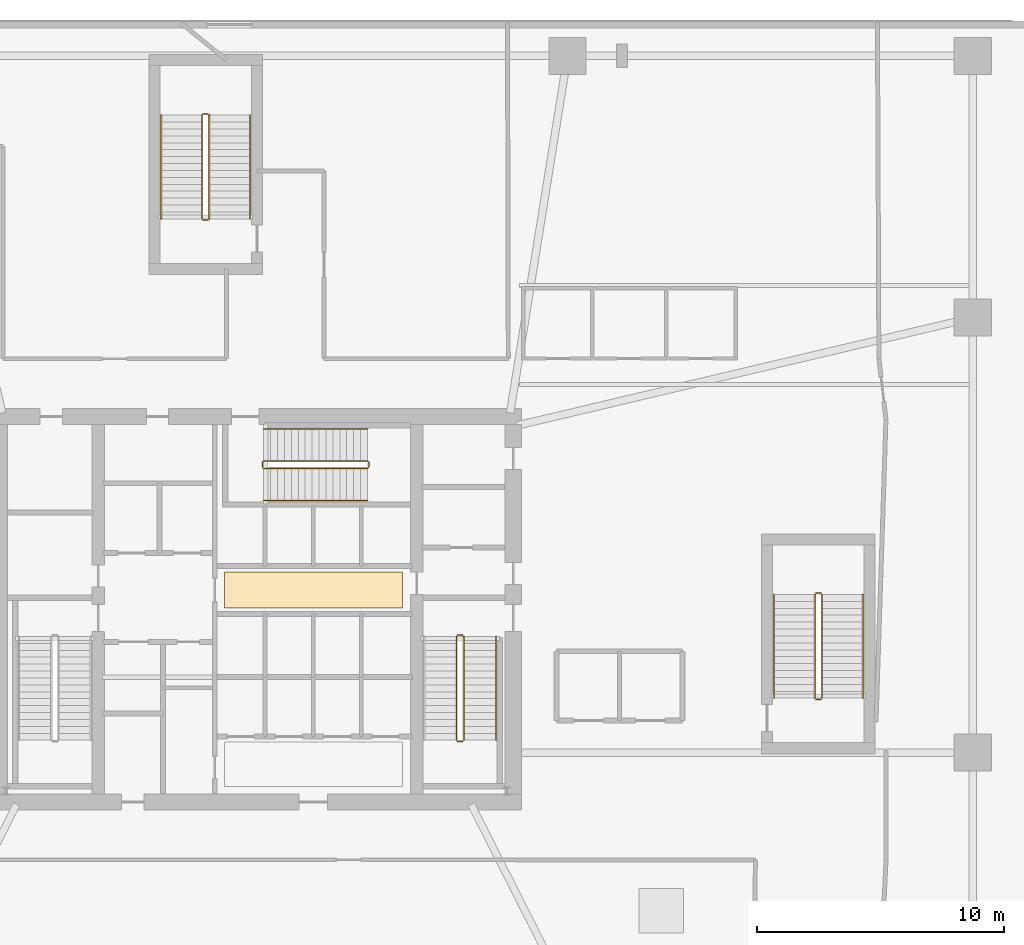
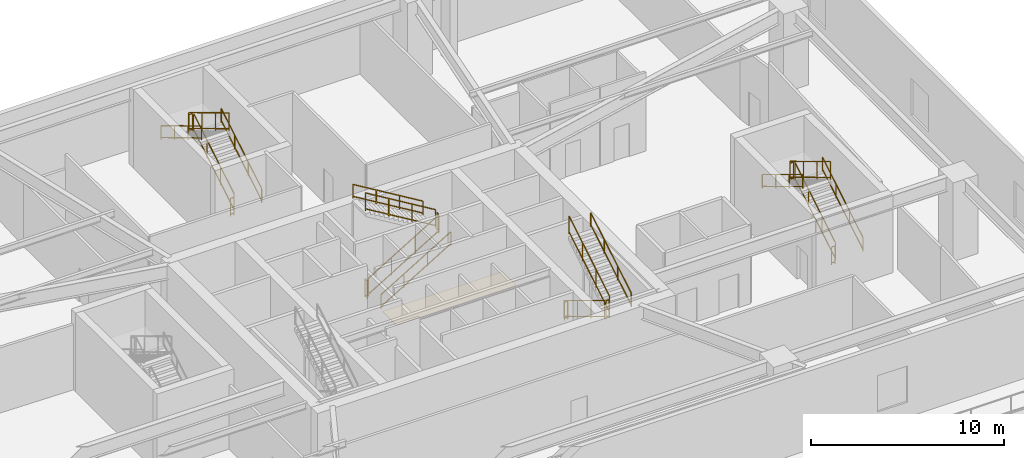
# One storey, part 10 of 11: 23 railings, 1 covering.
"""IFC4 building model written with IfcOpenShell, lengths in metres."""

from ifc_helpers import new_model, si_unit, direction, frame, origin, origin_2d, place, context, subcontext, project, spatial, rectangle, extrude, material, layer, layer_set, type_object, element, save


model = new_model("IFC4")

# Units and contexts
model_context = context("Model", 3, precision=1e-05, world=origin(), true_north=direction((0.0, 1.0)))
body_context = subcontext(model_context, "Body", "Model", "MODEL_VIEW")
ifc_project = project(units=[si_unit("LENGTHUNIT", "METRE"), si_unit("AREAUNIT", "SQUARE_METRE"), si_unit("VOLUMEUNIT", "CUBIC_METRE"), si_unit("PLANEANGLEUNIT", "RADIAN"), si_unit("MASSUNIT", "GRAM", prefix="KILO")], contexts=[model_context])

# Site, building, storey
site_placement = place(None, origin())
site = spatial("IfcSite", under=ifc_project, at=site_placement, CompositionType="ELEMENT")
building_placement = place(site_placement, origin())
building = spatial("IfcBuilding", under=site, at=building_placement, Name="Qarnah Convention Tower", CompositionType="ELEMENT")
storey_placement = place(building_placement, frame((0.0, 0.0, 16.199951171875)))
storey = spatial("IfcBuildingStorey", under=building, at=storey_placement, Name="L03", CompositionType="ELEMENT", Elevation=16.199951171875)

# Covering
ifc_material_1 = material(Name="Mineral fibre acoustic ceiling")
ifc_layer = layer(ifc_material_1, 0.02001953125)
ifc_layer_set = layer_set([ifc_layer], Name="Mineral fibre acoustic ceiling")
covering_type = type_object("IfcCoveringType", Name="COV-CEIL-20", PredefinedType="CEILING", material=ifc_layer_set)
covering_placement = place(storey_placement, frame((39.52001953125, 27.179931640625, 2.2900390625), z_axis=(0.0, 0.0, 1.0), x_axis=(1.0, 0.0, 0.0)))
element("IfcCovering", 1, at=covering_placement, inside=storey, type_object=covering_type, Name="L03 lift lobby acoustic ceiling", PredefinedType="CEILING", context=body_context, shape_type="SweptSolid", body=[
    extrude(rectangle(XDim=7.199951171875, YDim=1.449951171875, at=origin_2d()), origin(), (0.0, 0.0, 1.0), 0.02001953125),
])

# Railings
ifc_material_2 = material(Name="Structural steel S355JR", Category="steel")
railing_type_1 = type_object("IfcRailingType", Name="RL-STAIR-GUARD-1150", PredefinedType="GUARDRAIL", material=ifc_material_2)
railing_1_placement = place(storey_placement, frame((45.300048828125, 25.300048828125, 0.168701171875)))
element("IfcRailing", 2, at=railing_1_placement, inside=storey, type_object=railing_type_1, Name="L03 ST-2 stair guard 1", PredefinedType="GUARDRAIL", context=body_context, shape_type="SweptSolid", body=[
    extrude(rectangle(XDim=0.048095703125, YDim=0.048095703125, at=origin_2d()), frame((0.0, 0.0, 1.1259765625), z_axis=(0.0, -0.856476492594, 0.516186030065), x_axis=(1.0, 0.0, 0.0)), (0.0, 0.0, 1.0), 4.90380859375),
    extrude(rectangle(XDim=0.048095703125, YDim=0.048095703125, at=origin_2d()), frame((0.0, 0.0, 0.1201171875), z_axis=(0.0, -0.856476492594, 0.516186030065), x_axis=(1.0, 0.0, 0.0)), (0.0, 0.0, 1.0), 4.90380859375),
    extrude(rectangle(XDim=0.0419921875, YDim=0.0419921875, at=origin_2d()), origin(), (0.0, 0.0, 1.0), 1.101806640625),
    extrude(rectangle(XDim=0.0419921875, YDim=0.0419921875, at=origin_2d()), frame((0.0, -1.39990234375, 0.84375)), (0.0, 0.0, 1.0), 1.101806640625),
    extrude(rectangle(XDim=0.0419921875, YDim=0.0419921875, at=origin_2d()), frame((0.0, -2.800048828125, 1.6875)), (0.0, 0.0, 1.0), 1.101806640625),
    extrude(rectangle(XDim=0.0419921875, YDim=0.0419921875, at=origin_2d()), frame((0.0, -4.199951171875, 2.53125)), (0.0, 0.0, 1.0), 1.101806640625),
])
railing_2_placement = place(storey_placement, frame((45.35009765625, 21.050048828125, 2.699951171875)))
element("IfcRailing", 3, at=railing_2_placement, inside=storey, type_object=railing_type_1, Name="L03 ST-2 stair guard 2", PredefinedType="GUARDRAIL", context=body_context, shape_type="SweptSolid", body=[
    extrude(rectangle(XDim=0.048095703125, YDim=0.048095703125, at=origin_2d()), frame((0.0, 0.0, 1.1259765625), z_axis=(1.0, 0.0, 0.0), x_axis=(0.0, 1.0, 0.0)), (0.0, 0.0, 1.0), 0.199951171875),
    extrude(rectangle(XDim=0.048095703125, YDim=0.048095703125, at=origin_2d()), frame((0.0, 0.0, 0.1201171875), z_axis=(1.0, 0.0, 0.0), x_axis=(0.0, 1.0, 0.0)), (0.0, 0.0, 1.0), 0.199951171875),
    extrude(rectangle(XDim=0.0419921875, YDim=0.0419921875, at=origin_2d()), origin(), (0.0, 0.0, 1.0), 1.101806640625),
    extrude(rectangle(XDim=0.0419921875, YDim=0.0419921875, at=origin_2d()), frame((0.199951171875, 0.0, 0.0)), (0.0, 0.0, 1.0), 1.101806640625),
])
railing_3_placement = place(storey_placement, frame((45.60009765625, 21.10009765625, 2.868896484375)))
element("IfcRailing", 4, at=railing_3_placement, inside=storey, type_object=railing_type_1, Name="L03 ST-2 stair guard 3", PredefinedType="GUARDRAIL", context=body_context, shape_type="SweptSolid", body=[
    extrude(rectangle(XDim=0.048095703125, YDim=0.048095703125, at=origin_2d()), frame((0.0, 0.0, 1.1259765625), z_axis=(0.0, 0.856476492594, 0.516186030065), x_axis=(-1.0, 0.0, 0.0)), (0.0, 0.0, 1.0), 4.90380859375),
    extrude(rectangle(XDim=0.048095703125, YDim=0.048095703125, at=origin_2d()), frame((0.0, 0.0, 0.1201171875), z_axis=(0.0, 0.856476492594, 0.516186030065), x_axis=(-1.0, 0.0, 0.0)), (0.0, 0.0, 1.0), 4.90380859375),
    extrude(rectangle(XDim=0.0419921875, YDim=0.0419921875, at=origin_2d()), origin(), (0.0, 0.0, 1.0), 1.101806640625),
    extrude(rectangle(XDim=0.0419921875, YDim=0.0419921875, at=origin_2d()), frame((0.0, 1.39990234375, 0.84375)), (0.0, 0.0, 1.0), 1.101806640625),
    extrude(rectangle(XDim=0.0419921875, YDim=0.0419921875, at=origin_2d()), frame((0.0, 2.800048828125, 1.6875)), (0.0, 0.0, 1.0), 1.101806640625),
    extrude(rectangle(XDim=0.0419921875, YDim=0.0419921875, at=origin_2d()), frame((0.0, 4.199951171875, 2.53125)), (0.0, 0.0, 1.0), 1.101806640625),
])
railing_4_placement = place(storey_placement, frame((45.35009765625, 25.35009765625, 0.0)))
element("IfcRailing", 5, at=railing_4_placement, inside=storey, type_object=railing_type_1, Name="L03 ST-2 stair guard 4", PredefinedType="GUARDRAIL", context=body_context, shape_type="SweptSolid", body=[
    extrude(rectangle(XDim=0.048095703125, YDim=0.048095703125, at=origin_2d()), frame((0.0, 0.0, 1.1259765625), z_axis=(1.0, 0.0, 0.0), x_axis=(0.0, 1.0, 0.0)), (0.0, 0.0, 1.0), 0.199951171875),
    extrude(rectangle(XDim=0.048095703125, YDim=0.048095703125, at=origin_2d()), frame((0.0, 0.0, 0.1201171875), z_axis=(1.0, 0.0, 0.0), x_axis=(0.0, 1.0, 0.0)), (0.0, 0.0, 1.0), 0.199951171875),
    extrude(rectangle(XDim=0.0419921875, YDim=0.0419921875, at=origin_2d()), origin(), (0.0, 0.0, 1.0), 1.101806640625),
    extrude(rectangle(XDim=0.0419921875, YDim=0.0419921875, at=origin_2d()), frame((0.199951171875, 0.0, 0.0)), (0.0, 0.0, 1.0), 1.101806640625),
])
railing_5_placement = place(storey_placement, frame((37.5, 32.10009765625, 0.168701171875)))
element("IfcRailing", 6, at=railing_5_placement, inside=storey, type_object=railing_type_1, Name="L03 ST-3 stair guard 1", PredefinedType="GUARDRAIL", context=body_context, shape_type="SweptSolid", body=[
    extrude(rectangle(XDim=0.048095703125, YDim=0.048095703125, at=origin_2d()), frame((0.0, 0.0, 1.1259765625), z_axis=(0.856476492594, 0.0, 0.516186030065), x_axis=(0.0, 1.0, 0.0)), (0.0, 0.0, 1.0), 4.90380859375),
    extrude(rectangle(XDim=0.048095703125, YDim=0.048095703125, at=origin_2d()), frame((0.0, 0.0, 0.1201171875), z_axis=(0.856476492594, 0.0, 0.516186030065), x_axis=(0.0, 1.0, 0.0)), (0.0, 0.0, 1.0), 4.90380859375),
    extrude(rectangle(XDim=0.0419921875, YDim=0.0419921875, at=origin_2d()), origin(), (0.0, 0.0, 1.0), 1.101806640625),
    extrude(rectangle(XDim=0.0419921875, YDim=0.0419921875, at=origin_2d()), frame((1.39990234375, 0.0, 0.84375)), (0.0, 0.0, 1.0), 1.101806640625),
    extrude(rectangle(XDim=0.0419921875, YDim=0.0419921875, at=origin_2d()), frame((2.800048828125, 0.0, 1.6875)), (0.0, 0.0, 1.0), 1.101806640625),
    extrude(rectangle(XDim=0.0419921875, YDim=0.0419921875, at=origin_2d()), frame((4.199951171875, 0.0, 2.53125)), (0.0, 0.0, 1.0), 1.101806640625),
])
railing_6_placement = place(storey_placement, frame((41.75, 32.14990234375, 2.699951171875)))
element("IfcRailing", 7, at=railing_6_placement, inside=storey, type_object=railing_type_1, Name="L03 ST-3 stair guard 2", PredefinedType="GUARDRAIL", context=body_context, shape_type="SweptSolid", body=[
    extrude(rectangle(XDim=0.048095703125, YDim=0.048095703125, at=origin_2d()), frame((0.0, 0.0, 1.1259765625), z_axis=(0.0, 1.0, 0.0), x_axis=(-1.0, 0.0, 0.0)), (0.0, 0.0, 1.0), 0.2001953125),
    extrude(rectangle(XDim=0.048095703125, YDim=0.048095703125, at=origin_2d()), frame((0.0, 0.0, 0.1201171875), z_axis=(0.0, 1.0, 0.0), x_axis=(-1.0, 0.0, 0.0)), (0.0, 0.0, 1.0), 0.2001953125),
    extrude(rectangle(XDim=0.0419921875, YDim=0.0419921875, at=origin_2d()), origin(), (0.0, 0.0, 1.0), 1.101806640625),
    extrude(rectangle(XDim=0.0419921875, YDim=0.0419921875, at=origin_2d()), frame((0.0, 0.2001953125, 0.0)), (0.0, 0.0, 1.0), 1.101806640625),
])
railing_7_placement = place(storey_placement, frame((41.699951171875, 32.39990234375, 2.868896484375)))
element("IfcRailing", 8, at=railing_7_placement, inside=storey, type_object=railing_type_1, Name="L03 ST-3 stair guard 3", PredefinedType="GUARDRAIL", context=body_context, shape_type="SweptSolid", body=[
    extrude(rectangle(XDim=0.048095703125, YDim=0.048095703125, at=origin_2d()), frame((0.0, 0.0, 1.1259765625), z_axis=(-0.856476492594, 0.0, 0.516186030065), x_axis=(0.0, -1.0, 0.0)), (0.0, 0.0, 1.0), 4.90380859375),
    extrude(rectangle(XDim=0.048095703125, YDim=0.048095703125, at=origin_2d()), frame((0.0, 0.0, 0.1201171875), z_axis=(-0.856476492594, 0.0, 0.516186030065), x_axis=(0.0, -1.0, 0.0)), (0.0, 0.0, 1.0), 4.90380859375),
    extrude(rectangle(XDim=0.0419921875, YDim=0.0419921875, at=origin_2d()), origin(), (0.0, 0.0, 1.0), 1.101806640625),
    extrude(rectangle(XDim=0.0419921875, YDim=0.0419921875, at=origin_2d()), frame((-1.39990234375, 0.0, 0.84375)), (0.0, 0.0, 1.0), 1.101806640625),
    extrude(rectangle(XDim=0.0419921875, YDim=0.0419921875, at=origin_2d()), frame((-2.800048828125, 0.0, 1.6875)), (0.0, 0.0, 1.0), 1.101806640625),
    extrude(rectangle(XDim=0.0419921875, YDim=0.0419921875, at=origin_2d()), frame((-4.199951171875, 0.0, 2.53125)), (0.0, 0.0, 1.0), 1.101806640625),
])
railing_8_placement = place(storey_placement, frame((37.449951171875, 32.14990234375, 0.0)))
element("IfcRailing", 9, at=railing_8_placement, inside=storey, type_object=railing_type_1, Name="L03 ST-3 stair guard 4", PredefinedType="GUARDRAIL", context=body_context, shape_type="SweptSolid", body=[
    extrude(rectangle(XDim=0.048095703125, YDim=0.048095703125, at=origin_2d()), frame((0.0, 0.0, 1.1259765625), z_axis=(0.0, 1.0, 0.0), x_axis=(-1.0, 0.0, 0.0)), (0.0, 0.0, 1.0), 0.2001953125),
    extrude(rectangle(XDim=0.048095703125, YDim=0.048095703125, at=origin_2d()), frame((0.0, 0.0, 0.1201171875), z_axis=(0.0, 1.0, 0.0), x_axis=(-1.0, 0.0, 0.0)), (0.0, 0.0, 1.0), 0.2001953125),
    extrude(rectangle(XDim=0.0419921875, YDim=0.0419921875, at=origin_2d()), origin(), (0.0, 0.0, 1.0), 1.101806640625),
    extrude(rectangle(XDim=0.0419921875, YDim=0.0419921875, at=origin_2d()), frame((0.0, 0.2001953125, 0.0)), (0.0, 0.0, 1.0), 1.101806640625),
])
railing_9_placement = place(storey_placement, frame((60.10009765625, 22.800048828125, 0.168701171875)))
element("IfcRailing", 10, at=railing_9_placement, inside=storey, type_object=railing_type_1, Name="L03 ST-4 stair guard 1", PredefinedType="GUARDRAIL", context=body_context, shape_type="SweptSolid", body=[
    extrude(rectangle(XDim=0.048095703125, YDim=0.048095703125, at=origin_2d()), frame((0.0, 0.0, 1.1259765625), z_axis=(0.0, 0.856476492594, 0.516186030065), x_axis=(-1.0, 0.0, 0.0)), (0.0, 0.0, 1.0), 4.90380859375),
    extrude(rectangle(XDim=0.048095703125, YDim=0.048095703125, at=origin_2d()), frame((0.0, 0.0, 0.1201171875), z_axis=(0.0, 0.856476492594, 0.516186030065), x_axis=(-1.0, 0.0, 0.0)), (0.0, 0.0, 1.0), 4.90380859375),
    extrude(rectangle(XDim=0.0419921875, YDim=0.0419921875, at=origin_2d()), origin(), (0.0, 0.0, 1.0), 1.101806640625),
    extrude(rectangle(XDim=0.0419921875, YDim=0.0419921875, at=origin_2d()), frame((0.0, 1.39990234375, 0.84375)), (0.0, 0.0, 1.0), 1.101806640625),
    extrude(rectangle(XDim=0.0419921875, YDim=0.0419921875, at=origin_2d()), frame((0.0, 2.800048828125, 1.6875)), (0.0, 0.0, 1.0), 1.101806640625),
    extrude(rectangle(XDim=0.0419921875, YDim=0.0419921875, at=origin_2d()), frame((0.0, 4.199951171875, 2.53125)), (0.0, 0.0, 1.0), 1.101806640625),
])
railing_10_placement = place(storey_placement, frame((60.050048828125, 27.050048828125, 2.699951171875)))
element("IfcRailing", 11, at=railing_10_placement, inside=storey, type_object=railing_type_1, Name="L03 ST-4 stair guard 2", PredefinedType="GUARDRAIL", context=body_context, shape_type="SweptSolid", body=[
    extrude(rectangle(XDim=0.048095703125, YDim=0.048095703125, at=origin_2d()), frame((0.0, 0.0, 1.1259765625), z_axis=(-1.0, 0.0, 0.0), x_axis=(0.0, -1.0, 0.0)), (0.0, 0.0, 1.0), 0.199951171875),
    extrude(rectangle(XDim=0.048095703125, YDim=0.048095703125, at=origin_2d()), frame((0.0, 0.0, 0.1201171875), z_axis=(-1.0, 0.0, 0.0), x_axis=(0.0, -1.0, 0.0)), (0.0, 0.0, 1.0), 0.199951171875),
    extrude(rectangle(XDim=0.0419921875, YDim=0.0419921875, at=origin_2d()), origin(), (0.0, 0.0, 1.0), 1.101806640625),
    extrude(rectangle(XDim=0.0419921875, YDim=0.0419921875, at=origin_2d()), frame((-0.199951171875, 0.0, 0.0)), (0.0, 0.0, 1.0), 1.101806640625),
])
railing_11_placement = place(storey_placement, frame((59.800048828125, 27.0, 2.868896484375)))
element("IfcRailing", 12, at=railing_11_placement, inside=storey, type_object=railing_type_1, Name="L03 ST-4 stair guard 3", PredefinedType="GUARDRAIL", context=body_context, shape_type="SweptSolid", body=[
    extrude(rectangle(XDim=0.048095703125, YDim=0.048095703125, at=origin_2d()), frame((0.0, 0.0, 1.1259765625), z_axis=(0.0, -0.856476492594, 0.516186030065), x_axis=(1.0, 0.0, 0.0)), (0.0, 0.0, 1.0), 4.90380859375),
    extrude(rectangle(XDim=0.048095703125, YDim=0.048095703125, at=origin_2d()), frame((0.0, 0.0, 0.1201171875), z_axis=(0.0, -0.856476492594, 0.516186030065), x_axis=(1.0, 0.0, 0.0)), (0.0, 0.0, 1.0), 4.90380859375),
    extrude(rectangle(XDim=0.0419921875, YDim=0.0419921875, at=origin_2d()), origin(), (0.0, 0.0, 1.0), 1.101806640625),
    extrude(rectangle(XDim=0.0419921875, YDim=0.0419921875, at=origin_2d()), frame((0.0, -1.39990234375, 0.84375)), (0.0, 0.0, 1.0), 1.101806640625),
    extrude(rectangle(XDim=0.0419921875, YDim=0.0419921875, at=origin_2d()), frame((0.0, -2.800048828125, 1.6875)), (0.0, 0.0, 1.0), 1.101806640625),
    extrude(rectangle(XDim=0.0419921875, YDim=0.0419921875, at=origin_2d()), frame((0.0, -4.199951171875, 2.53125)), (0.0, 0.0, 1.0), 1.101806640625),
])
railing_12_placement = place(storey_placement, frame((60.050048828125, 22.75, 0.0)))
element("IfcRailing", 13, at=railing_12_placement, inside=storey, type_object=railing_type_1, Name="L03 ST-4 stair guard 4", PredefinedType="GUARDRAIL", context=body_context, shape_type="SweptSolid", body=[
    extrude(rectangle(XDim=0.048095703125, YDim=0.048095703125, at=origin_2d()), frame((0.0, 0.0, 1.1259765625), z_axis=(-1.0, 0.0, 0.0), x_axis=(0.0, -1.0, 0.0)), (0.0, 0.0, 1.0), 0.199951171875),
    extrude(rectangle(XDim=0.048095703125, YDim=0.048095703125, at=origin_2d()), frame((0.0, 0.0, 0.1201171875), z_axis=(-1.0, 0.0, 0.0), x_axis=(0.0, -1.0, 0.0)), (0.0, 0.0, 1.0), 0.199951171875),
    extrude(rectangle(XDim=0.0419921875, YDim=0.0419921875, at=origin_2d()), origin(), (0.0, 0.0, 1.0), 1.101806640625),
    extrude(rectangle(XDim=0.0419921875, YDim=0.0419921875, at=origin_2d()), frame((-0.199951171875, 0.0, 0.0)), (0.0, 0.0, 1.0), 1.101806640625),
])
railing_13_placement = place(storey_placement, frame((35.300048828125, 42.199951171875, 0.168701171875)))
element("IfcRailing", 14, at=railing_13_placement, inside=storey, type_object=railing_type_1, Name="L03 ST-6 stair guard 1", PredefinedType="GUARDRAIL", context=body_context, shape_type="SweptSolid", body=[
    extrude(rectangle(XDim=0.048095703125, YDim=0.048095703125, at=origin_2d()), frame((0.0, 0.0, 1.1259765625), z_axis=(0.0, 0.856476492594, 0.516186030065), x_axis=(-1.0, 0.0, 0.0)), (0.0, 0.0, 1.0), 4.90380859375),
    extrude(rectangle(XDim=0.048095703125, YDim=0.048095703125, at=origin_2d()), frame((0.0, 0.0, 0.1201171875), z_axis=(0.0, 0.856476492594, 0.516186030065), x_axis=(-1.0, 0.0, 0.0)), (0.0, 0.0, 1.0), 4.90380859375),
    extrude(rectangle(XDim=0.0419921875, YDim=0.0419921875, at=origin_2d()), origin(), (0.0, 0.0, 1.0), 1.101806640625),
    extrude(rectangle(XDim=0.0419921875, YDim=0.0419921875, at=origin_2d()), frame((0.0, 1.39990234375, 0.84375)), (0.0, 0.0, 1.0), 1.101806640625),
    extrude(rectangle(XDim=0.0419921875, YDim=0.0419921875, at=origin_2d()), frame((0.0, 2.800048828125, 1.6875)), (0.0, 0.0, 1.0), 1.101806640625),
    extrude(rectangle(XDim=0.0419921875, YDim=0.0419921875, at=origin_2d()), frame((0.0, 4.199951171875, 2.53125)), (0.0, 0.0, 1.0), 1.101806640625),
])
railing_14_placement = place(storey_placement, frame((35.25, 46.449951171875, 2.699951171875)))
element("IfcRailing", 15, at=railing_14_placement, inside=storey, type_object=railing_type_1, Name="L03 ST-6 stair guard 2", PredefinedType="GUARDRAIL", context=body_context, shape_type="SweptSolid", body=[
    extrude(rectangle(XDim=0.048095703125, YDim=0.048095703125, at=origin_2d()), frame((0.0, 0.0, 1.1259765625), z_axis=(-1.0, 0.0, 0.0), x_axis=(0.0, -1.0, 0.0)), (0.0, 0.0, 1.0), 0.199951171875),
    extrude(rectangle(XDim=0.048095703125, YDim=0.048095703125, at=origin_2d()), frame((0.0, 0.0, 0.1201171875), z_axis=(-1.0, 0.0, 0.0), x_axis=(0.0, -1.0, 0.0)), (0.0, 0.0, 1.0), 0.199951171875),
    extrude(rectangle(XDim=0.0419921875, YDim=0.0419921875, at=origin_2d()), origin(), (0.0, 0.0, 1.0), 1.101806640625),
    extrude(rectangle(XDim=0.0419921875, YDim=0.0419921875, at=origin_2d()), frame((-0.199951171875, 0.0, 0.0)), (0.0, 0.0, 1.0), 1.101806640625),
])
railing_15_placement = place(storey_placement, frame((35.0, 46.39990234375, 2.868896484375)))
element("IfcRailing", 16, at=railing_15_placement, inside=storey, type_object=railing_type_1, Name="L03 ST-6 stair guard 3", PredefinedType="GUARDRAIL", context=body_context, shape_type="SweptSolid", body=[
    extrude(rectangle(XDim=0.048095703125, YDim=0.048095703125, at=origin_2d()), frame((0.0, 0.0, 1.1259765625), z_axis=(0.0, -0.856476492594, 0.516186030065), x_axis=(1.0, 0.0, 0.0)), (0.0, 0.0, 1.0), 4.90380859375),
    extrude(rectangle(XDim=0.048095703125, YDim=0.048095703125, at=origin_2d()), frame((0.0, 0.0, 0.1201171875), z_axis=(0.0, -0.856476492594, 0.516186030065), x_axis=(1.0, 0.0, 0.0)), (0.0, 0.0, 1.0), 4.90380859375),
    extrude(rectangle(XDim=0.0419921875, YDim=0.0419921875, at=origin_2d()), origin(), (0.0, 0.0, 1.0), 1.101806640625),
    extrude(rectangle(XDim=0.0419921875, YDim=0.0419921875, at=origin_2d()), frame((0.0, -1.39990234375, 0.84375)), (0.0, 0.0, 1.0), 1.101806640625),
    extrude(rectangle(XDim=0.0419921875, YDim=0.0419921875, at=origin_2d()), frame((0.0, -2.800048828125, 1.6875)), (0.0, 0.0, 1.0), 1.101806640625),
    extrude(rectangle(XDim=0.0419921875, YDim=0.0419921875, at=origin_2d()), frame((0.0, -4.199951171875, 2.53125)), (0.0, 0.0, 1.0), 1.101806640625),
])
railing_16_placement = place(storey_placement, frame((35.25, 42.14990234375, 0.0)))
element("IfcRailing", 17, at=railing_16_placement, inside=storey, type_object=railing_type_1, Name="L03 ST-6 stair guard 4", PredefinedType="GUARDRAIL", context=body_context, shape_type="SweptSolid", body=[
    extrude(rectangle(XDim=0.048095703125, YDim=0.048095703125, at=origin_2d()), frame((0.0, 0.0, 1.1259765625), z_axis=(-1.0, 0.0, 0.0), x_axis=(0.0, -1.0, 0.0)), (0.0, 0.0, 1.0), 0.199951171875),
    extrude(rectangle(XDim=0.048095703125, YDim=0.048095703125, at=origin_2d()), frame((0.0, 0.0, 0.1201171875), z_axis=(-1.0, 0.0, 0.0), x_axis=(0.0, -1.0, 0.0)), (0.0, 0.0, 1.0), 0.199951171875),
    extrude(rectangle(XDim=0.0419921875, YDim=0.0419921875, at=origin_2d()), origin(), (0.0, 0.0, 1.0), 1.101806640625),
    extrude(rectangle(XDim=0.0419921875, YDim=0.0419921875, at=origin_2d()), frame((-0.199951171875, 0.0, 0.0)), (0.0, 0.0, 1.0), 1.101806640625),
])
railing_type_2 = type_object("IfcRailingType", Name="RL-STAIR-HAND-900", PredefinedType="HANDRAIL", material=ifc_material_2)
railing_17_placement = place(storey_placement, frame((46.89990234375, 21.10009765625, 2.868896484375)))
element("IfcRailing", 18, at=railing_17_placement, inside=storey, type_object=railing_type_2, Name="L03 ST-2 stair handrail 2", PredefinedType="HANDRAIL", context=body_context, shape_type="SweptSolid", body=[
    extrude(rectangle(XDim=0.048095703125, YDim=0.048095703125, at=origin_2d()), frame((0.0, 0.0, 0.8759765625), z_axis=(0.0, 0.856476492594, 0.516186030065), x_axis=(-1.0, 0.0, 0.0)), (0.0, 0.0, 1.0), 4.90380859375),
    extrude(rectangle(XDim=0.048095703125, YDim=0.048095703125, at=origin_2d()), frame((0.0, 0.0, 0.1201171875), z_axis=(0.0, 0.856476492594, 0.516186030065), x_axis=(-1.0, 0.0, 0.0)), (0.0, 0.0, 1.0), 4.90380859375),
    extrude(rectangle(XDim=0.0419921875, YDim=0.0419921875, at=origin_2d()), origin(), (0.0, 0.0, 1.0), 0.851806640625),
    extrude(rectangle(XDim=0.0419921875, YDim=0.0419921875, at=origin_2d()), frame((0.0, 1.39990234375, 0.84375)), (0.0, 0.0, 1.0), 0.851806640625),
    extrude(rectangle(XDim=0.0419921875, YDim=0.0419921875, at=origin_2d()), frame((0.0, 2.800048828125, 1.6875)), (0.0, 0.0, 1.0), 0.851806640625),
    extrude(rectangle(XDim=0.0419921875, YDim=0.0419921875, at=origin_2d()), frame((0.0, 4.199951171875, 2.53125)), (0.0, 0.0, 1.0), 0.851806640625),
])
railing_18_placement = place(storey_placement, frame((37.5, 30.800048828125, 0.168701171875)))
element("IfcRailing", 19, at=railing_18_placement, inside=storey, type_object=railing_type_2, Name="L03 ST-3 stair handrail 1", PredefinedType="HANDRAIL", context=body_context, shape_type="SweptSolid", body=[
    extrude(rectangle(XDim=0.048095703125, YDim=0.048095703125, at=origin_2d()), frame((0.0, 0.0, 0.8759765625), z_axis=(0.856476492594, 0.0, 0.516186030065), x_axis=(0.0, 1.0, 0.0)), (0.0, 0.0, 1.0), 4.90380859375),
    extrude(rectangle(XDim=0.048095703125, YDim=0.048095703125, at=origin_2d()), frame((0.0, 0.0, 0.1201171875), z_axis=(0.856476492594, 0.0, 0.516186030065), x_axis=(0.0, 1.0, 0.0)), (0.0, 0.0, 1.0), 4.90380859375),
    extrude(rectangle(XDim=0.0419921875, YDim=0.0419921875, at=origin_2d()), origin(), (0.0, 0.0, 1.0), 0.851806640625),
    extrude(rectangle(XDim=0.0419921875, YDim=0.0419921875, at=origin_2d()), frame((1.39990234375, 0.0, 0.84375)), (0.0, 0.0, 1.0), 0.851806640625),
    extrude(rectangle(XDim=0.0419921875, YDim=0.0419921875, at=origin_2d()), frame((2.800048828125, 0.0, 1.6875)), (0.0, 0.0, 1.0), 0.851806640625),
    extrude(rectangle(XDim=0.0419921875, YDim=0.0419921875, at=origin_2d()), frame((4.199951171875, 0.0, 2.53125)), (0.0, 0.0, 1.0), 0.851806640625),
])
railing_19_placement = place(storey_placement, frame((41.699951171875, 33.699951171875, 2.868896484375)))
element("IfcRailing", 20, at=railing_19_placement, inside=storey, type_object=railing_type_2, Name="L03 ST-3 stair handrail 2", PredefinedType="HANDRAIL", context=body_context, shape_type="SweptSolid", body=[
    extrude(rectangle(XDim=0.048095703125, YDim=0.048095703125, at=origin_2d()), frame((0.0, 0.0, 0.8759765625), z_axis=(-0.856476492594, 0.0, 0.516186030065), x_axis=(0.0, -1.0, 0.0)), (0.0, 0.0, 1.0), 4.90380859375),
    extrude(rectangle(XDim=0.048095703125, YDim=0.048095703125, at=origin_2d()), frame((0.0, 0.0, 0.1201171875), z_axis=(-0.856476492594, 0.0, 0.516186030065), x_axis=(0.0, -1.0, 0.0)), (0.0, 0.0, 1.0), 4.90380859375),
    extrude(rectangle(XDim=0.0419921875, YDim=0.0419921875, at=origin_2d()), origin(), (0.0, 0.0, 1.0), 0.851806640625),
    extrude(rectangle(XDim=0.0419921875, YDim=0.0419921875, at=origin_2d()), frame((-1.39990234375, 0.0, 0.84375)), (0.0, 0.0, 1.0), 0.851806640625),
    extrude(rectangle(XDim=0.0419921875, YDim=0.0419921875, at=origin_2d()), frame((-2.800048828125, 0.0, 1.6875)), (0.0, 0.0, 1.0), 0.851806640625),
    extrude(rectangle(XDim=0.0419921875, YDim=0.0419921875, at=origin_2d()), frame((-4.199951171875, 0.0, 2.53125)), (0.0, 0.0, 1.0), 0.851806640625),
])
railing_20_placement = place(storey_placement, frame((61.75, 22.800048828125, 0.168701171875)))
element("IfcRailing", 21, at=railing_20_placement, inside=storey, type_object=railing_type_2, Name="L03 ST-4 stair handrail 1", PredefinedType="HANDRAIL", context=body_context, shape_type="SweptSolid", body=[
    extrude(rectangle(XDim=0.048095703125, YDim=0.048095703125, at=origin_2d()), frame((0.0, 0.0, 0.8759765625), z_axis=(0.0, 0.856476492594, 0.516186030065), x_axis=(-1.0, 0.0, 0.0)), (0.0, 0.0, 1.0), 4.90380859375),
    extrude(rectangle(XDim=0.048095703125, YDim=0.048095703125, at=origin_2d()), frame((0.0, 0.0, 0.1201171875), z_axis=(0.0, 0.856476492594, 0.516186030065), x_axis=(-1.0, 0.0, 0.0)), (0.0, 0.0, 1.0), 4.90380859375),
    extrude(rectangle(XDim=0.0419921875, YDim=0.0419921875, at=origin_2d()), origin(), (0.0, 0.0, 1.0), 0.851806640625),
    extrude(rectangle(XDim=0.0419921875, YDim=0.0419921875, at=origin_2d()), frame((0.0, 1.39990234375, 0.84375)), (0.0, 0.0, 1.0), 0.851806640625),
    extrude(rectangle(XDim=0.0419921875, YDim=0.0419921875, at=origin_2d()), frame((0.0, 2.800048828125, 1.6875)), (0.0, 0.0, 1.0), 0.851806640625),
    extrude(rectangle(XDim=0.0419921875, YDim=0.0419921875, at=origin_2d()), frame((0.0, 4.199951171875, 2.53125)), (0.0, 0.0, 1.0), 0.851806640625),
])
railing_21_placement = place(storey_placement, frame((58.14990234375, 27.0, 2.868896484375)))
element("IfcRailing", 22, at=railing_21_placement, inside=storey, type_object=railing_type_2, Name="L03 ST-4 stair handrail 2", PredefinedType="HANDRAIL", context=body_context, shape_type="SweptSolid", body=[
    extrude(rectangle(XDim=0.048095703125, YDim=0.048095703125, at=origin_2d()), frame((0.0, 0.0, 0.8759765625), z_axis=(0.0, -0.856476492594, 0.516186030065), x_axis=(1.0, 0.0, 0.0)), (0.0, 0.0, 1.0), 4.90380859375),
    extrude(rectangle(XDim=0.048095703125, YDim=0.048095703125, at=origin_2d()), frame((0.0, 0.0, 0.1201171875), z_axis=(0.0, -0.856476492594, 0.516186030065), x_axis=(1.0, 0.0, 0.0)), (0.0, 0.0, 1.0), 4.90380859375),
    extrude(rectangle(XDim=0.0419921875, YDim=0.0419921875, at=origin_2d()), origin(), (0.0, 0.0, 1.0), 0.851806640625),
    extrude(rectangle(XDim=0.0419921875, YDim=0.0419921875, at=origin_2d()), frame((0.0, -1.39990234375, 0.84375)), (0.0, 0.0, 1.0), 0.851806640625),
    extrude(rectangle(XDim=0.0419921875, YDim=0.0419921875, at=origin_2d()), frame((0.0, -2.800048828125, 1.6875)), (0.0, 0.0, 1.0), 0.851806640625),
    extrude(rectangle(XDim=0.0419921875, YDim=0.0419921875, at=origin_2d()), frame((0.0, -4.199951171875, 2.53125)), (0.0, 0.0, 1.0), 0.851806640625),
])
railing_22_placement = place(storey_placement, frame((36.949951171875, 42.199951171875, 0.168701171875)))
element("IfcRailing", 23, at=railing_22_placement, inside=storey, type_object=railing_type_2, Name="L03 ST-6 stair handrail 1", PredefinedType="HANDRAIL", context=body_context, shape_type="SweptSolid", body=[
    extrude(rectangle(XDim=0.048095703125, YDim=0.048095703125, at=origin_2d()), frame((0.0, 0.0, 0.8759765625), z_axis=(0.0, 0.856476492594, 0.516186030065), x_axis=(-1.0, 0.0, 0.0)), (0.0, 0.0, 1.0), 4.90380859375),
    extrude(rectangle(XDim=0.048095703125, YDim=0.048095703125, at=origin_2d()), frame((0.0, 0.0, 0.1201171875), z_axis=(0.0, 0.856476492594, 0.516186030065), x_axis=(-1.0, 0.0, 0.0)), (0.0, 0.0, 1.0), 4.90380859375),
    extrude(rectangle(XDim=0.0419921875, YDim=0.0419921875, at=origin_2d()), origin(), (0.0, 0.0, 1.0), 0.851806640625),
    extrude(rectangle(XDim=0.0419921875, YDim=0.0419921875, at=origin_2d()), frame((0.0, 1.39990234375, 0.84375)), (0.0, 0.0, 1.0), 0.851806640625),
    extrude(rectangle(XDim=0.0419921875, YDim=0.0419921875, at=origin_2d()), frame((0.0, 2.800048828125, 1.6875)), (0.0, 0.0, 1.0), 0.851806640625),
    extrude(rectangle(XDim=0.0419921875, YDim=0.0419921875, at=origin_2d()), frame((0.0, 4.199951171875, 2.53125)), (0.0, 0.0, 1.0), 0.851806640625),
])
railing_23_placement = place(storey_placement, frame((33.35009765625, 46.39990234375, 2.868896484375)))
element("IfcRailing", 24, at=railing_23_placement, inside=storey, type_object=railing_type_2, Name="L03 ST-6 stair handrail 2", PredefinedType="HANDRAIL", context=body_context, shape_type="SweptSolid", body=[
    extrude(rectangle(XDim=0.048095703125, YDim=0.048095703125, at=origin_2d()), frame((0.0, 0.0, 0.8759765625), z_axis=(0.0, -0.856476492594, 0.516186030065), x_axis=(1.0, 0.0, 0.0)), (0.0, 0.0, 1.0), 4.90380859375),
    extrude(rectangle(XDim=0.048095703125, YDim=0.048095703125, at=origin_2d()), frame((0.0, 0.0, 0.1201171875), z_axis=(0.0, -0.856476492594, 0.516186030065), x_axis=(1.0, 0.0, 0.0)), (0.0, 0.0, 1.0), 4.90380859375),
    extrude(rectangle(XDim=0.0419921875, YDim=0.0419921875, at=origin_2d()), origin(), (0.0, 0.0, 1.0), 0.851806640625),
    extrude(rectangle(XDim=0.0419921875, YDim=0.0419921875, at=origin_2d()), frame((0.0, -1.39990234375, 0.84375)), (0.0, 0.0, 1.0), 0.851806640625),
    extrude(rectangle(XDim=0.0419921875, YDim=0.0419921875, at=origin_2d()), frame((0.0, -2.800048828125, 1.6875)), (0.0, 0.0, 1.0), 0.851806640625),
    extrude(rectangle(XDim=0.0419921875, YDim=0.0419921875, at=origin_2d()), frame((0.0, -4.199951171875, 2.53125)), (0.0, 0.0, 1.0), 0.851806640625),
])

save(model, "model.ifc")
